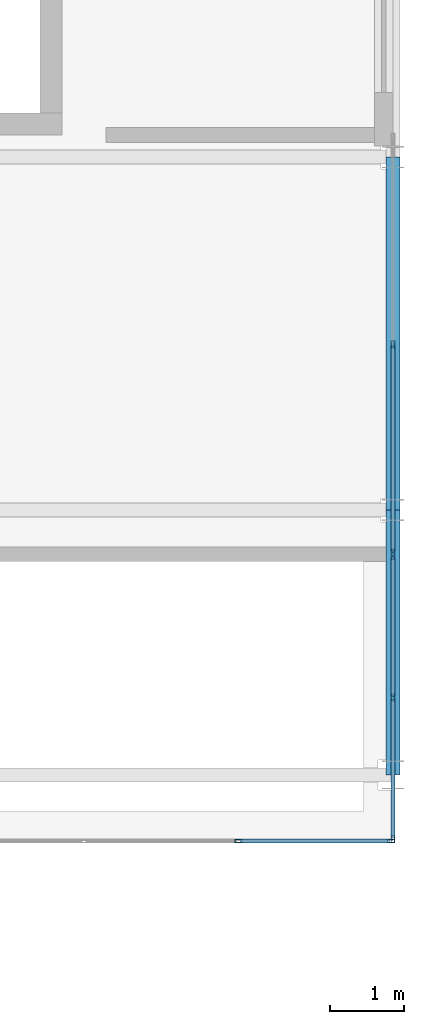
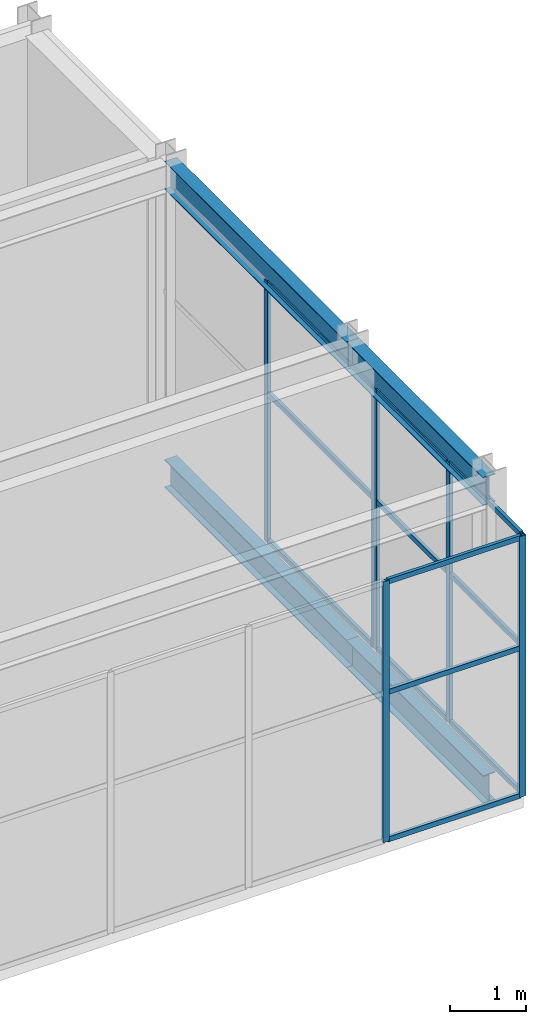
# One storey, part 45 of 167: 19 members, 4 beams, 3 elements without a shape of their own.
"""IFC4 building model written with IfcOpenShell, lengths in metres."""

import ifcopenshell
import ifcopenshell.guid

model = None  # the IFC model being written
_history = None  # IfcOwnerHistory: only IFC2X3 demands one
_inside = {}  # id of a spatial element -> (the spatial element, [elements in it])
_under = {}  # id of a project, library or spatial element -> (it, [spatial elements below it])
_declared = {}  # id of a project -> (the project, [libraries it declares])
_typed = {}  # id of a type object -> (the type object, [elements of that type])
_made_of = {}  # id of a material, layer set ... -> (it, [elements and type objects made of it])


def new_model(schema):
    """Start an empty IFC model of exactly this schema.

    Asked for "IFC4X3", IfcOpenShell would pick the latest addendum, in which some entities
    have other attributes; the version numbers below select the first issue.
    IFC2X3 requires an IfcOwnerHistory on every rooted entity: one is made here for all.
    """
    global model, _history
    if schema == "IFC4X3":
        model = ifcopenshell.file(schema_version=(4, 3, 0, 0))
    else:
        model = ifcopenshell.file(schema=schema)
    _inside.clear()
    _under.clear()
    _declared.clear()
    _typed.clear()
    _made_of.clear()
    _history = None
    if model.schema == "IFC2X3":
        org = make("IfcOrganization", Name="unknown")
        user = make(
            "IfcPersonAndOrganization",
            ThePerson=make("IfcPerson", FamilyName="unknown"),
            TheOrganization=org,
        )
        app = make(
            "IfcApplication",
            ApplicationDeveloper=org,
            Version="unknown",
            ApplicationFullName="unknown",
            ApplicationIdentifier="unknown",
        )
        _history = make(
            "IfcOwnerHistory",
            OwningUser=user,
            OwningApplication=app,
            ChangeAction="ADDED",
            CreationDate=0,
        )
    return model


def make(cls, **values):
    """One entity of the class cls with the attributes given. An attribute that is None is left unset."""
    return model.create_entity(
        cls, **{name: value for name, value in values.items() if value is not None}
    )


def rooted(cls, **values):
    """An entity with a GlobalId (a new one), such as an element, a storey or a relation."""
    return make(cls, GlobalId=ifcopenshell.guid.new(), OwnerHistory=_history, **values)


def si_unit(unit_type, name, prefix=None):
    """IfcSIUnit, for example si_unit("LENGTHUNIT", "METRE", prefix="MILLI")."""
    return make("IfcSIUnit", UnitType=unit_type, Prefix=prefix, Name=name)


def assignment(units):
    """IfcUnitAssignment: the units of a project."""
    return None if units is None else make("IfcUnitAssignment", Units=units)


def point(xyz):
    """IfcCartesianPoint."""
    return None if xyz is None else make("IfcCartesianPoint", Coordinates=xyz)


def direction(xyz):
    """IfcDirection."""
    return None if xyz is None else make("IfcDirection", DirectionRatios=xyz)


def frame(location, z_axis=None, x_axis=None):
    """IfcAxis2Placement3D, a coordinate frame: its origin and axes. An axis left out is left unset."""
    return make(
        "IfcAxis2Placement3D",
        Location=point(location),
        Axis=direction(z_axis),
        RefDirection=direction(x_axis),
    )


def frame_2d(location, x_axis=None):
    """IfcAxis2Placement2D, a coordinate frame in the plane: its origin and x axis."""
    return make(
        "IfcAxis2Placement2D", Location=point(location), RefDirection=direction(x_axis)
    )


def origin():
    """The frame at (0, 0, 0) with its axes left unset."""
    return frame((0.0, 0.0, 0.0))


def origin_2d():
    """The frame at (0, 0) in the plane with its x axis left unset."""
    return frame_2d((0.0, 0.0))


def place(relative_to, where):
    """IfcLocalPlacement: puts the frame where relative to a parent placement (None: the world)."""
    return make(
        "IfcLocalPlacement", PlacementRelTo=relative_to, RelativePlacement=where
    )


def context(
    kind, dimensions, precision=None, world=None, true_north=None, identifier=None
):
    """IfcGeometricRepresentationContext, for example the 3D "Model" context."""
    return make(
        "IfcGeometricRepresentationContext",
        ContextIdentifier=identifier,
        ContextType=kind,
        CoordinateSpaceDimension=dimensions,
        Precision=precision,
        WorldCoordinateSystem=world,
        TrueNorth=true_north,
    )


def subcontext(parent, identifier, kind, view, scale=None):
    """IfcGeometricRepresentationSubContext, for example "Body" below "Model"."""
    return make(
        "IfcGeometricRepresentationSubContext",
        ContextIdentifier=identifier,
        ContextType=kind,
        ParentContext=parent,
        TargetScale=scale,
        TargetView=view,
    )


def project(units=None, contexts=None):
    """IfcProject with its units and contexts."""
    return rooted(
        "IfcProject",
        Name="project",
        RepresentationContexts=contexts,
        UnitsInContext=assignment(units),
    )


def spatial(cls, under=None, at=None, **own):
    """A site, building, storey or space (cls), placed at a placement, below another one or the project."""
    s = rooted(cls, ObjectPlacement=at, **own)
    if under is not None:
        _under.setdefault(under.id(), (under, []))[1].append(s)
    return s


def profile(cls, at=None, kind="AREA", **sizes):
    """A parametric profile (cls). Its sizes go by their IFC names, for example OverallWidth=200.0."""
    return make(cls, ProfileType=kind, Position=at, **sizes)


def hollow_rectangle(**sizes):
    """IfcRectangleHollowProfileDef."""
    return profile("IfcRectangleHollowProfileDef", **sizes)


def i_section(**sizes):
    """IfcIShapeProfileDef."""
    return profile("IfcIShapeProfileDef", **sizes)


def extrude(swept, where, along, depth):
    """IfcExtrudedAreaSolid: the profile swept, set in the frame where, extruded along a direction by depth."""
    return make(
        "IfcExtrudedAreaSolid",
        SweptArea=swept,
        Position=where,
        ExtrudedDirection=direction(along),
        Depth=depth,
    )


def shape(context_of_items, identifier, shape_type, items):
    """IfcShapeRepresentation: the items that make up one representation, for example the "Body"."""
    return make(
        "IfcShapeRepresentation",
        ContextOfItems=context_of_items,
        RepresentationIdentifier=identifier,
        RepresentationType=shape_type,
        Items=items,
    )


def material(Name=None, Category=None):
    """IfcMaterial."""
    return make("IfcMaterial", Name=Name, Category=Category)


def material_profile(
    of_material, cross_section, Name=None, Category=None, Priority=None
):
    """IfcMaterialProfile: a cross section and its material."""
    return make(
        "IfcMaterialProfile",
        Name=Name,
        Material=of_material,
        Profile=cross_section,
        Priority=Priority,
        Category=Category,
    )


def profile_set(profiles, Name=None, composite=None):
    """IfcMaterialProfileSet."""
    return make(
        "IfcMaterialProfileSet",
        Name=Name,
        MaterialProfiles=profiles,
        CompositeProfile=composite,
    )


def made_of(thing, what):
    """Note that an element or type object is made of a material, layer set ...; save() writes the relation."""
    if what is not None:
        _made_of.setdefault(what.id(), (what, []))[1].append(thing)
    return thing


def type_object(cls, material=None, **own):
    """A type object (cls), such as IfcWallType, which elements share."""
    return made_of(rooted(cls, **own), material)


def element(
    cls,
    number,
    at=None,
    inside=None,
    cuts=None,
    type_object=None,
    material=None,
    context=None,
    identifier="Body",
    shape_type=None,
    held_by="IfcProductDefinitionShape",
    body=None,
    shapes=None,
    **own,
):
    """One element of the class cls, such as IfcWall. Its Tag is "e" and its number.

    at: its placement. inside: the storey or other place that contains it. cuts: it is an
    opening in that element (IfcRelVoidsElement). A single representation is given by context,
    identifier, shape_type and body (its items); several are given by shapes. held_by: the class
    of the entity that holds the representations. save() writes the other relations.
    """
    e = rooted(cls, Tag="e%d" % number, ObjectPlacement=at, **own)
    if body is not None:
        shapes = [shape(context, identifier, shape_type, body)]
    if shapes is not None:
        e.Representation = make(held_by, Representations=shapes)
    if inside is not None:
        _inside.setdefault(inside.id(), (inside, []))[1].append(e)
    if cuts is not None:
        rooted(
            "IfcRelVoidsElement", RelatingBuildingElement=cuts, RelatedOpeningElement=e
        )
    if type_object is not None:
        _typed.setdefault(type_object.id(), (type_object, []))[1].append(e)
    return made_of(e, material)


def aggregate(whole, parts):
    """IfcRelAggregates: a whole, such as a stair, and the parts it consists of."""
    return rooted("IfcRelAggregates", RelatingObject=whole, RelatedObjects=parts)


def save(model, path):
    """Write the relations noted so far, then the file.

    IfcRelAggregates (storeys below a building ...), IfcRelContainedInSpatialStructure (elements
    in a storey), IfcRelDefinesByType, IfcRelAssociatesMaterial and IfcRelDeclares: one each for
    every whole, place, type object, material and project.
    """
    for whole, parts in _under.values():
        aggregate(whole, parts)
    for where, things in _inside.values():
        rooted(
            "IfcRelContainedInSpatialStructure",
            RelatedElements=things,
            RelatingStructure=where,
        )
    for kind, things in _typed.values():
        rooted("IfcRelDefinesByType", RelatedObjects=things, RelatingType=kind)
    for what, things in _made_of.values():
        rooted("IfcRelAssociatesMaterial", RelatedObjects=things, RelatingMaterial=what)
    for by, libraries in _declared.values():
        rooted("IfcRelDeclares", RelatingContext=by, RelatedDefinitions=libraries)
    model.write(path)


model = new_model("IFC4")

# Units and contexts
model_context = context("Model", 3, precision=1e-05, world=origin(), true_north=direction((0.0, 1.0)))
body_context = subcontext(model_context, "Body", "Model", "MODEL_VIEW")
ifc_project = project(units=[si_unit("LENGTHUNIT", "METRE"), si_unit("AREAUNIT", "SQUARE_METRE"), si_unit("VOLUMEUNIT", "CUBIC_METRE"), si_unit("PLANEANGLEUNIT", "RADIAN"), si_unit("MASSUNIT", "GRAM", prefix="KILO")], contexts=[model_context])

# Site, building, storey
site_placement = place(None, origin())
site = spatial("IfcSite", under=ifc_project, at=site_placement, CompositionType="ELEMENT")
building_placement = place(site_placement, origin())
building = spatial("IfcBuilding", under=site, at=building_placement, Name="Catenary Quay Ferry Terminal", CompositionType="ELEMENT")
storey_placement = place(building_placement, frame((0.0, 0.0, 6.0)))
storey = spatial("IfcBuildingStorey", under=building, at=storey_placement, Name="L01", CompositionType="ELEMENT", Elevation=6.0)

# Beams
ifc_material_1 = material(Name="Steel S355", Category="steel")
ifc_material_profile_1 = material_profile(ifc_material_1, i_section(OverallWidth=0.18994140625, OverallDepth=0.453369140625, WebThickness=0.008544921875, FlangeThickness=0.0126953125, at=origin_2d()), Name="UB 457x191x67")
ifc_profile_set_1 = profile_set([ifc_material_profile_1], Name="Steel S355")
beam_type = type_object("IfcBeamType", Name="B1 UB 457x191x67", PredefinedType="BEAM", material=ifc_profile_set_1)
beam_1_placement = place(storey_placement, frame((134.39990234375, 69.60009765625, 4.373046875), z_axis=(0.0, 1.0, 0.0), x_axis=(-1.0, 0.0, 0.0)))
element("IfcBeam", 1, at=beam_1_placement, inside=storey, type_object=beam_type, Name="Beam B1-040", PredefinedType="BEAM", context=body_context, shape_type="SweptSolid", body=[
    extrude(i_section(OverallWidth=0.18994140625, OverallDepth=0.453369140625, WebThickness=0.008544921875, FlangeThickness=0.0126953125, at=origin_2d()), origin(), (0.0, 0.0, 1.0), 3.599853515625),
])
beam_2_placement = place(storey_placement, frame((134.39990234375, 73.199951171875, 4.373046875), z_axis=(0.0, 1.0, 0.0), x_axis=(-1.0, 0.0, 0.0)))
element("IfcBeam", 2, at=beam_2_placement, inside=storey, type_object=beam_type, Name="Beam B1-041", PredefinedType="BEAM", context=body_context, shape_type="SweptSolid", body=[
    extrude(i_section(OverallWidth=0.18994140625, OverallDepth=0.453369140625, WebThickness=0.008544921875, FlangeThickness=0.0126953125, at=origin_2d()), origin(), (0.0, 0.0, 1.0), 4.800048828125),
])
beam_3_placement = place(storey_placement, frame((134.39990234375, 69.60009765625, -0.427001953125), z_axis=(0.0, 1.0, 0.0), x_axis=(-1.0, 0.0, 0.0)))
element("IfcBeam", 3, at=beam_3_placement, inside=storey, type_object=beam_type, Name="Beam B1-069", PredefinedType="BEAM", context=body_context, shape_type="SweptSolid", body=[
    extrude(i_section(OverallWidth=0.18994140625, OverallDepth=0.453369140625, WebThickness=0.008544921875, FlangeThickness=0.0126953125, at=origin_2d()), origin(), (0.0, 0.0, 1.0), 3.599853515625),
])
beam_4_placement = place(storey_placement, frame((134.39990234375, 73.199951171875, -0.427001953125), z_axis=(0.0, 1.0, 0.0), x_axis=(-1.0, 0.0, 0.0)))
element("IfcBeam", 4, at=beam_4_placement, inside=storey, type_object=beam_type, Name="Beam B1-070", PredefinedType="BEAM", context=body_context, shape_type="SweptSolid", body=[
    extrude(i_section(OverallWidth=0.18994140625, OverallDepth=0.453369140625, WebThickness=0.008544921875, FlangeThickness=0.0126953125, at=origin_2d()), origin(), (0.0, 0.0, 1.0), 4.800048828125),
])

# Curtain wall, members
ifc_material_2 = material(Name="Aluminium and glass", Category="aluminium")
curtain_wall_type = type_object("IfcCurtainWallType", Name="CWK", PredefinedType="NOTDEFINED", material=ifc_material_2)
curtain_wall_1_placement = place(storey_placement, origin())
curtain_wall_1 = element("IfcCurtainWall", 5, at=curtain_wall_1_placement, inside=storey, type_object=curtain_wall_type, Name="Head berth 1 stair curtain wall CW80", PredefinedType="NOTDEFINED")
ifc_material_3 = material(Name="Aluminium", Category="aluminium")
ifc_material_profile_2 = material_profile(ifc_material_3, hollow_rectangle(XDim=0.050048828125, YDim=0.10009765625, WallThickness=0.0048828125, at=origin_2d()), Name="MU1")
ifc_profile_set_2 = profile_set([ifc_material_profile_2], Name="Aluminium")
member_type_1 = type_object("IfcMemberType", Name="MU1", PredefinedType="MULLION", material=ifc_profile_set_2)
member_1_placement = place(storey_placement, frame((132.300048828125, 68.699951171875, 0.0), z_axis=(0.0, 0.0, 1.0), x_axis=(0.0, 1.0, 0.0)))
member_1 = element("IfcMember", 6, at=member_1_placement, type_object=member_type_1, Name="CW80 mullion 4", PredefinedType="MULLION", context=body_context, shape_type="SweptSolid", body=[
    extrude(hollow_rectangle(XDim=0.050048828125, YDim=0.10009765625, WallThickness=0.0048828125, at=origin_2d()), origin(), (0.0, 0.0, 1.0), 4.199951171875),
])
member_2_placement = place(storey_placement, frame((134.375, 68.699951171875, 0.0), z_axis=(0.0, 0.0, 1.0), x_axis=(0.0, 1.0, 0.0)))
member_2 = element("IfcMember", 7, at=member_2_placement, type_object=member_type_1, Name="CW80 mullion 5", PredefinedType="MULLION", context=body_context, shape_type="SweptSolid", body=[
    extrude(hollow_rectangle(XDim=0.050048828125, YDim=0.10009765625, WallThickness=0.0048828125, at=origin_2d()), origin(), (0.0, 0.0, 1.0), 4.199951171875),
])

curtain_wall_2_placement = place(storey_placement, origin())
curtain_wall_2 = element("IfcCurtainWall", 8, at=curtain_wall_2_placement, inside=storey, type_object=curtain_wall_type, Name="Head berth 1 stair curtain wall CW81", PredefinedType="NOTDEFINED")
member_3_placement = place(storey_placement, frame((134.39990234375, 68.72509765625, 0.0), z_axis=(0.0, 0.0, 1.0), x_axis=(-1.0, 0.0, 0.0)))
member_3 = element("IfcMember", 9, at=member_3_placement, type_object=member_type_1, Name="CW81 mullion 1", PredefinedType="MULLION", context=body_context, shape_type="SweptSolid", body=[
    extrude(hollow_rectangle(XDim=0.050048828125, YDim=0.10009765625, WallThickness=0.0048828125, at=origin_2d()), origin(), (0.0, 0.0, 1.0), 4.199951171875),
])
member_4_placement = place(storey_placement, frame((134.39990234375, 70.64990234375, 0.0), z_axis=(0.0, 0.0, 1.0), x_axis=(-1.0, 0.0, 0.0)))
member_4 = element("IfcMember", 10, at=member_4_placement, type_object=member_type_1, Name="CW81 mullion 2", PredefinedType="MULLION", context=body_context, shape_type="SweptSolid", body=[
    extrude(hollow_rectangle(XDim=0.050048828125, YDim=0.10009765625, WallThickness=0.0048828125, at=origin_2d()), origin(), (0.0, 0.0, 1.0), 4.199951171875),
])
member_5_placement = place(storey_placement, frame((134.39990234375, 72.574951171875, 0.0), z_axis=(0.0, 0.0, 1.0), x_axis=(-1.0, 0.0, 0.0)))
member_5 = element("IfcMember", 11, at=member_5_placement, type_object=member_type_1, Name="CW81 mullion 3", PredefinedType="MULLION", context=body_context, shape_type="SweptSolid", body=[
    extrude(hollow_rectangle(XDim=0.050048828125, YDim=0.10009765625, WallThickness=0.0048828125, at=origin_2d()), origin(), (0.0, 0.0, 1.0), 4.199951171875),
])

curtain_wall_3_placement = place(storey_placement, origin())
curtain_wall_3 = element("IfcCurtainWall", 12, at=curtain_wall_3_placement, inside=storey, type_object=curtain_wall_type, Name="Head berth 1 landing curtain wall CW83", PredefinedType="NOTDEFINED")
member_6_placement = place(storey_placement, frame((134.39990234375, 72.625, 0.0), z_axis=(0.0, 0.0, 1.0), x_axis=(-1.0, 0.0, 0.0)))
member_6 = element("IfcMember", 13, at=member_6_placement, type_object=member_type_1, Name="CW83 mullion 1", PredefinedType="MULLION", context=body_context, shape_type="SweptSolid", body=[
    extrude(hollow_rectangle(XDim=0.050048828125, YDim=0.10009765625, WallThickness=0.0048828125, at=origin_2d()), origin(), (0.0, 0.0, 1.0), 4.199951171875),
])
member_7_placement = place(storey_placement, frame((134.39990234375, 75.449951171875, 0.0), z_axis=(0.0, 0.0, 1.0), x_axis=(-1.0, 0.0, 0.0)))
member_7 = element("IfcMember", 14, at=member_7_placement, type_object=member_type_1, Name="CW83 mullion 2", PredefinedType="MULLION", context=body_context, shape_type="SweptSolid", body=[
    extrude(hollow_rectangle(XDim=0.050048828125, YDim=0.10009765625, WallThickness=0.0048828125, at=origin_2d()), origin(), (0.0, 0.0, 1.0), 4.199951171875),
])

# Member
ifc_material_4 = material(Name="Aluminium", Category="aluminium")
ifc_material_profile_3 = material_profile(ifc_material_4, hollow_rectangle(XDim=0.050048828125, YDim=0.080078125, WallThickness=0.00390625, at=origin_2d()), Name="TR1")
ifc_profile_set_3 = profile_set([ifc_material_profile_3], Name="Aluminium")
member_type_2 = type_object("IfcMemberType", Name="TR1", PredefinedType="USERDEFINED", material=ifc_profile_set_3)
member_8_placement = place(storey_placement, frame((132.324951171875, 68.699951171875, 0.02490234375), z_axis=(1.0, 0.0, 0.0), x_axis=(0.0, 1.0, 0.0)))
member_8 = element("IfcMember", 15, at=member_8_placement, type_object=member_type_2, Name="CW80 transom 4.1", ObjectType="TRANSOM", PredefinedType="USERDEFINED", context=body_context, shape_type="SweptSolid", body=[
    extrude(hollow_rectangle(XDim=0.050048828125, YDim=0.080078125, WallThickness=0.00390625, at=origin_2d()), origin(), (0.0, 0.0, 1.0), 2.025146484375),
])

member_9_placement = place(storey_placement, frame((132.324951171875, 68.699951171875, 2.39990234375), z_axis=(1.0, 0.0, 0.0), x_axis=(0.0, 1.0, 0.0)))
member_9 = element("IfcMember", 16, at=member_9_placement, type_object=member_type_2, Name="CW80 transom 4.2", ObjectType="TRANSOM", PredefinedType="USERDEFINED", context=body_context, shape_type="SweptSolid", body=[
    extrude(hollow_rectangle(XDim=0.050048828125, YDim=0.080078125, WallThickness=0.00390625, at=origin_2d()), origin(), (0.0, 0.0, 1.0), 2.025146484375),
])

member_10_placement = place(storey_placement, frame((132.324951171875, 68.699951171875, 4.175048828125), z_axis=(1.0, 0.0, 0.0), x_axis=(0.0, 1.0, 0.0)))
member_10 = element("IfcMember", 17, at=member_10_placement, type_object=member_type_2, Name="CW80 transom 4.3", ObjectType="TRANSOM", PredefinedType="USERDEFINED", context=body_context, shape_type="SweptSolid", body=[
    extrude(hollow_rectangle(XDim=0.050048828125, YDim=0.080078125, WallThickness=0.00390625, at=origin_2d()), origin(), (0.0, 0.0, 1.0), 2.025146484375),
])

aggregate(curtain_wall_1, [member_1, member_2, member_8, member_9, member_10])

member_11_placement = place(storey_placement, frame((134.39990234375, 68.75, 0.02490234375), z_axis=(0.0, 1.0, 0.0), x_axis=(-1.0, 0.0, 0.0)))
member_11 = element("IfcMember", 18, at=member_11_placement, type_object=member_type_2, Name="CW81 transom 1.1", ObjectType="TRANSOM", PredefinedType="USERDEFINED", context=body_context, shape_type="SweptSolid", body=[
    extrude(hollow_rectangle(XDim=0.050048828125, YDim=0.080078125, WallThickness=0.00390625, at=origin_2d()), origin(), (0.0, 0.0, 1.0), 1.875),
])

member_12_placement = place(storey_placement, frame((134.39990234375, 68.75, 2.39990234375), z_axis=(0.0, 1.0, 0.0), x_axis=(-1.0, 0.0, 0.0)))
member_12 = element("IfcMember", 19, at=member_12_placement, type_object=member_type_2, Name="CW81 transom 1.2", ObjectType="TRANSOM", PredefinedType="USERDEFINED", context=body_context, shape_type="SweptSolid", body=[
    extrude(hollow_rectangle(XDim=0.050048828125, YDim=0.080078125, WallThickness=0.00390625, at=origin_2d()), origin(), (0.0, 0.0, 1.0), 1.875),
])

member_13_placement = place(storey_placement, frame((134.39990234375, 68.75, 4.175048828125), z_axis=(0.0, 1.0, 0.0), x_axis=(-1.0, 0.0, 0.0)))
member_13 = element("IfcMember", 20, at=member_13_placement, type_object=member_type_2, Name="CW81 transom 1.3", ObjectType="TRANSOM", PredefinedType="USERDEFINED", context=body_context, shape_type="SweptSolid", body=[
    extrude(hollow_rectangle(XDim=0.050048828125, YDim=0.080078125, WallThickness=0.00390625, at=origin_2d()), origin(), (0.0, 0.0, 1.0), 1.875),
])

member_14_placement = place(storey_placement, frame((134.39990234375, 70.675048828125, 0.02490234375), z_axis=(0.0, 1.0, 0.0), x_axis=(-1.0, 0.0, 0.0)))
member_14 = element("IfcMember", 21, at=member_14_placement, type_object=member_type_2, Name="CW81 transom 2.1", ObjectType="TRANSOM", PredefinedType="USERDEFINED", context=body_context, shape_type="SweptSolid", body=[
    extrude(hollow_rectangle(XDim=0.050048828125, YDim=0.080078125, WallThickness=0.00390625, at=origin_2d()), origin(), (0.0, 0.0, 1.0), 1.875),
])

member_15_placement = place(storey_placement, frame((134.39990234375, 70.675048828125, 2.39990234375), z_axis=(0.0, 1.0, 0.0), x_axis=(-1.0, 0.0, 0.0)))
member_15 = element("IfcMember", 22, at=member_15_placement, type_object=member_type_2, Name="CW81 transom 2.2", ObjectType="TRANSOM", PredefinedType="USERDEFINED", context=body_context, shape_type="SweptSolid", body=[
    extrude(hollow_rectangle(XDim=0.050048828125, YDim=0.080078125, WallThickness=0.00390625, at=origin_2d()), origin(), (0.0, 0.0, 1.0), 1.875),
])

member_16_placement = place(storey_placement, frame((134.39990234375, 70.675048828125, 4.175048828125), z_axis=(0.0, 1.0, 0.0), x_axis=(-1.0, 0.0, 0.0)))
member_16 = element("IfcMember", 23, at=member_16_placement, type_object=member_type_2, Name="CW81 transom 2.3", ObjectType="TRANSOM", PredefinedType="USERDEFINED", context=body_context, shape_type="SweptSolid", body=[
    extrude(hollow_rectangle(XDim=0.050048828125, YDim=0.080078125, WallThickness=0.00390625, at=origin_2d()), origin(), (0.0, 0.0, 1.0), 1.875),
])

aggregate(curtain_wall_2, [member_3, member_4, member_5, member_11, member_12, member_13, member_14, member_15, member_16])

member_17_placement = place(storey_placement, frame((134.39990234375, 72.64990234375, 0.02490234375), z_axis=(0.0, 1.0, 0.0), x_axis=(-1.0, 0.0, 0.0)))
member_17 = element("IfcMember", 24, at=member_17_placement, type_object=member_type_2, Name="CW83 transom 1.1", ObjectType="TRANSOM", PredefinedType="USERDEFINED", context=body_context, shape_type="SweptSolid", body=[
    extrude(hollow_rectangle(XDim=0.050048828125, YDim=0.080078125, WallThickness=0.00390625, at=origin_2d()), origin(), (0.0, 0.0, 1.0), 2.775146484375),
])

member_18_placement = place(storey_placement, frame((134.39990234375, 72.64990234375, 2.39990234375), z_axis=(0.0, 1.0, 0.0), x_axis=(-1.0, 0.0, 0.0)))
member_18 = element("IfcMember", 25, at=member_18_placement, type_object=member_type_2, Name="CW83 transom 1.2", ObjectType="TRANSOM", PredefinedType="USERDEFINED", context=body_context, shape_type="SweptSolid", body=[
    extrude(hollow_rectangle(XDim=0.050048828125, YDim=0.080078125, WallThickness=0.00390625, at=origin_2d()), origin(), (0.0, 0.0, 1.0), 2.775146484375),
])

member_19_placement = place(storey_placement, frame((134.39990234375, 72.64990234375, 4.175048828125), z_axis=(0.0, 1.0, 0.0), x_axis=(-1.0, 0.0, 0.0)))
member_19 = element("IfcMember", 26, at=member_19_placement, type_object=member_type_2, Name="CW83 transom 1.3", ObjectType="TRANSOM", PredefinedType="USERDEFINED", context=body_context, shape_type="SweptSolid", body=[
    extrude(hollow_rectangle(XDim=0.050048828125, YDim=0.080078125, WallThickness=0.00390625, at=origin_2d()), origin(), (0.0, 0.0, 1.0), 2.775146484375),
])

aggregate(curtain_wall_3, [member_6, member_7, member_17, member_18, member_19])

save(model, "model.ifc")
